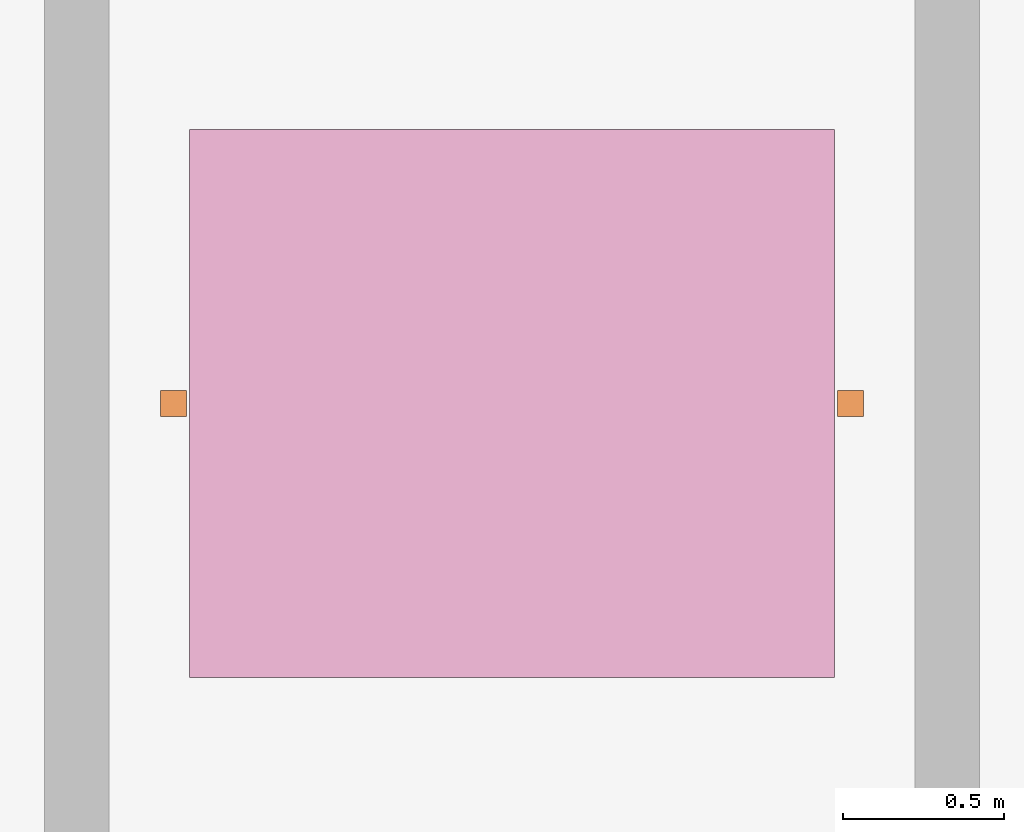
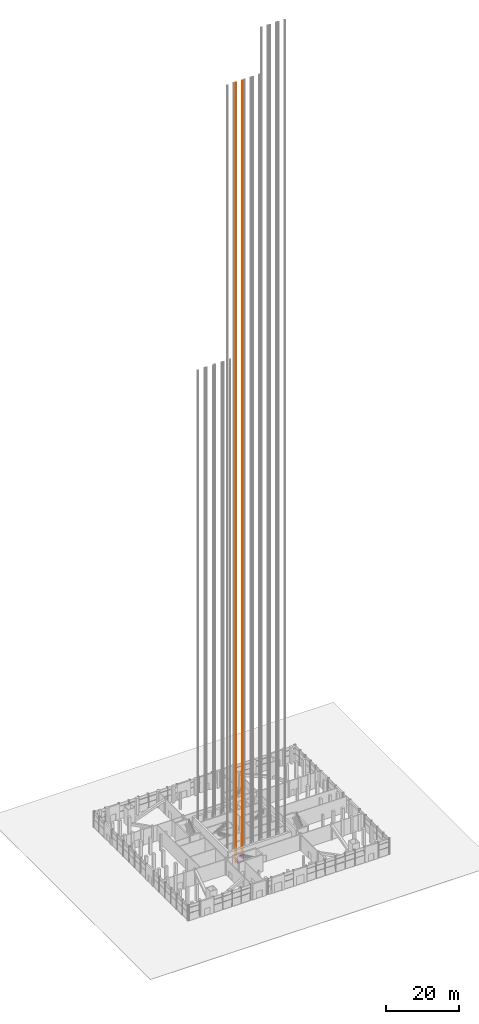
# One storey, part 18 of 27: 2 proxies, 1 transport element.
"""IFC4 building model written with IfcOpenShell, lengths in metres."""

from ifc_helpers import new_model, si_unit, direction, frame, origin, origin_2d, place, context, subcontext, project, spatial, rectangle, extrude, material, type_object, element, aggregate, save


model = new_model("IFC4")

# Units and contexts
model_context = context("Model", 3, precision=1e-05, world=origin(), true_north=direction((0.0, 1.0)))
body_context = subcontext(model_context, "Body", "Model", "MODEL_VIEW")
ifc_project = project(units=[si_unit("LENGTHUNIT", "METRE"), si_unit("AREAUNIT", "SQUARE_METRE"), si_unit("VOLUMEUNIT", "CUBIC_METRE"), si_unit("PLANEANGLEUNIT", "RADIAN"), si_unit("MASSUNIT", "GRAM", prefix="KILO")], contexts=[model_context])

# Site, building, storey
site_placement = place(None, origin())
site = spatial("IfcSite", under=ifc_project, at=site_placement, CompositionType="ELEMENT")
building_placement = place(site_placement, origin())
building = spatial("IfcBuilding", under=site, at=building_placement, Name="Turquesa Mirador Hotel Tower", CompositionType="ELEMENT")
storey_placement = place(building_placement, origin())
storey = spatial("IfcBuildingStorey", under=building, at=storey_placement, Name="L00", CompositionType="ELEMENT", Elevation=0.0)

# Transport element, proxies
ifc_material_1 = material(Name="Stainless steel lift car", Category="steel")
transport_element_type = type_object("IfcTransportElementType", Name="PASSENGER LIFT 1600 KG", PredefinedType="ELEVATOR", material=ifc_material_1)
transport_element_placement = place(storey_placement, frame((49.550048828125, 36.949951171875, 0.0), z_axis=(0.0, 0.0, 1.0), x_axis=(1.0, 0.0, 0.0)))
transport_element = element("IfcTransportElement", 1, at=transport_element_placement, inside=storey, type_object=transport_element_type, Name="Lift B2", PredefinedType="ELEVATOR", context=body_context, shape_type="SweptSolid", body=[
    extrude(rectangle(XDim=2.0, YDim=1.699951171875, at=origin_2d()), origin(), (0.0, 0.0, 1.0), 2.39990234375),
])
ifc_material_2 = material(Name="Steel ASTM A992 Grade 50", Category="steel")
building_element_proxy_type = type_object("IfcBuildingElementProxyType", Name="LIFT GUIDE RAIL 80X80", PredefinedType="USERDEFINED", material=ifc_material_2)
proxy_1_placement = place(storey_placement, frame((48.5, 36.949951171875, 0.0), z_axis=(0.0, 0.0, 1.0), x_axis=(1.0, 0.0, 0.0)))
proxy_1 = element("IfcBuildingElementProxy", 2, at=proxy_1_placement, type_object=building_element_proxy_type, Name="Lift B2 guide rail 1", ObjectType="LIFT GUIDE RAIL", PredefinedType="USERDEFINED", context=body_context, shape_type="SweptSolid", body=[
    extrude(rectangle(XDim=0.080078125, YDim=0.080078125, at=origin_2d()), origin(), (0.0, 0.0, 1.0), 261.5),
])
proxy_2_placement = place(storey_placement, frame((50.60009765625, 36.949951171875, 0.0), z_axis=(0.0, 0.0, 1.0), x_axis=(1.0, 0.0, 0.0)))
proxy_2 = element("IfcBuildingElementProxy", 3, at=proxy_2_placement, type_object=building_element_proxy_type, Name="Lift B2 guide rail 2", ObjectType="LIFT GUIDE RAIL", PredefinedType="USERDEFINED", context=body_context, shape_type="SweptSolid", body=[
    extrude(rectangle(XDim=0.080078125, YDim=0.080078125, at=origin_2d()), origin(), (0.0, 0.0, 1.0), 261.5),
])
aggregate(transport_element, [proxy_1, proxy_2])

save(model, "model.ifc")
